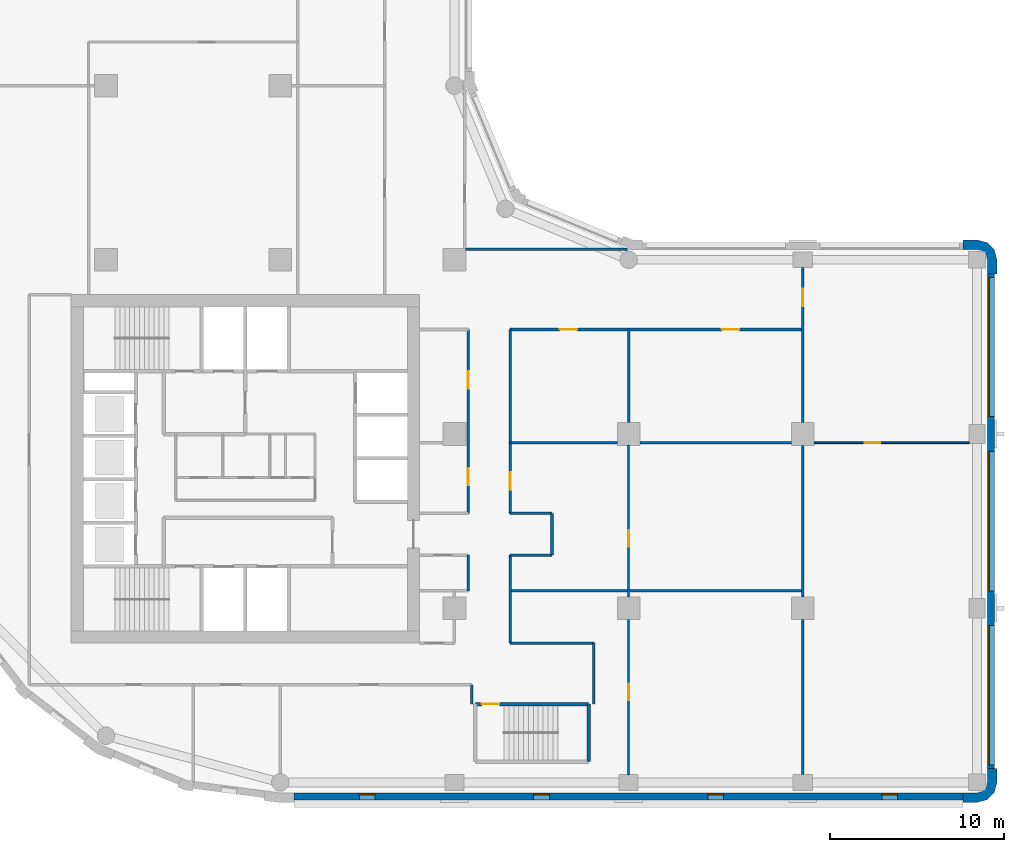
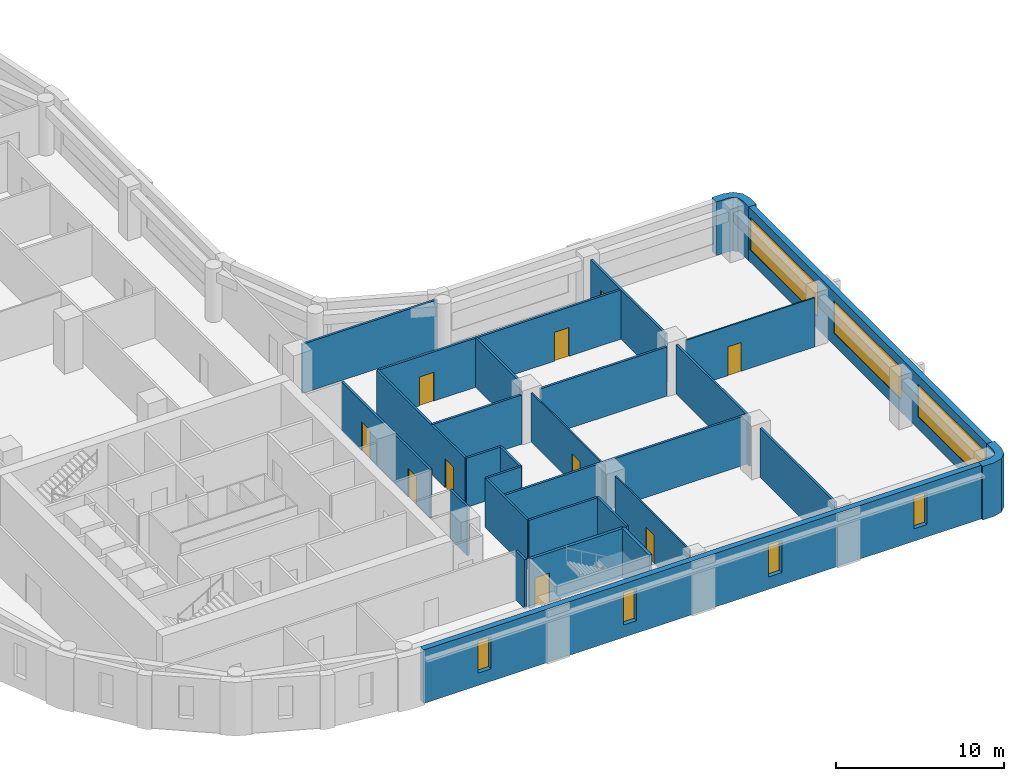
# One storey, part 4 of 9: 28 walls, 10 doors, 7 windows, 17 openings.
"""IFC4 building model written with IfcOpenShell, lengths in metres."""

from ifc_helpers import new_model, si_unit, direction, frame, frame_2d, origin, place, context, subcontext, project, spatial, polyline, rectangle, outline, extrude, material, layer, layer_set, type_object, element, fill, save


model = new_model("IFC4")

# Units and contexts
model_context = context("Model", 3, precision=1e-05, world=origin(), true_north=direction((0.0, 1.0)))
body_context = subcontext(model_context, "Body", "Model", "MODEL_VIEW")
ifc_project = project(units=[si_unit("LENGTHUNIT", "METRE"), si_unit("AREAUNIT", "SQUARE_METRE"), si_unit("VOLUMEUNIT", "CUBIC_METRE"), si_unit("PLANEANGLEUNIT", "RADIAN"), si_unit("MASSUNIT", "GRAM", prefix="KILO")], contexts=[model_context])

# Site, building, storey
site_placement = place(None, origin())
site = spatial("IfcSite", under=ifc_project, at=site_placement, CompositionType="ELEMENT")
building_placement = place(site_placement, origin())
building = spatial("IfcBuilding", under=site, at=building_placement, Name="Qaws Garden Tower", CompositionType="ELEMENT")
storey_placement = place(building_placement, frame((0.0, 0.0, 162.89990234375)))
storey = spatial("IfcBuildingStorey", under=building, at=storey_placement, Name="L39", CompositionType="ELEMENT", Elevation=162.89990234375)

# Walls
ifc_material_1 = material(Name="Clay facing brick masonry", Category="masonry")
ifc_layer_1 = layer(ifc_material_1, 0.550048828125)
ifc_layer_set_1 = layer_set([ifc_layer_1], Name="Clay facing brick masonry")
wall_type_1 = type_object("IfcWallType", Name="Brick corner pier 550 x 2400", PredefinedType="SOLIDWALL", material=ifc_layer_set_1)
placement = place(storey_placement, origin())
element("IfcWall", 1, at=placement, inside=storey, type_object=wall_type_1, Name="E-L39-pier-04", PredefinedType="SOLIDWALL", context=body_context, shape_type="SweptSolid", body=[
    extrude(outline(polyline([(59.199951171875, -1.0), (59.199951171875, -1.14990234375), (60.0, -1.14990234375), (60.574951171875, -0.995849609375), (60.995849609375, -0.574951171875), (61.14990234375, 0.0), (61.14990234375, 0.800048828125), (61.0, 0.800048828125), (60.60009765625, 0.800048828125), (60.60009765625, 0.0), (60.51953125, -0.300048828125), (60.300048828125, -0.51953125), (60.0, -0.60009765625), (59.199951171875, -0.60009765625), (59.199951171875, -1.0)])), origin(), (0.0, 0.0, 1.0), 3.900146484375),
])
element("IfcWall", 2, at=placement, inside=storey, type_object=wall_type_1, Name="E-L39-pier-07", PredefinedType="SOLIDWALL", context=body_context, shape_type="SweptSolid", body=[
    extrude(outline(polyline([(61.0, 29.199951171875), (61.14990234375, 29.199951171875), (61.14990234375, 30.0), (60.995849609375, 30.574951171875), (60.574951171875, 30.995849609375), (60.0, 31.14990234375), (59.199951171875, 31.14990234375), (59.199951171875, 31.0), (59.199951171875, 30.60009765625), (60.0, 30.60009765625), (60.300048828125, 30.51953125), (60.51953125, 30.300048828125), (60.60009765625, 30.0), (60.60009765625, 29.199951171875), (61.0, 29.199951171875)])), origin(), (0.0, 0.0, 1.0), 3.900146484375),
])

# Wall, openings, windows
ifc_material_2 = material(Name="Clay facing brick masonry", Category="masonry")
ifc_layer_2 = layer(ifc_material_2, 0.39990234375)
ifc_layer_set_2 = layer_set([ifc_layer_2], Name="Clay facing brick masonry")
wall_type_2 = type_object("IfcWallType", Name="Brick infill wall 400", PredefinedType="SOLIDWALL", material=ifc_layer_set_2)
wall_3_placement = place(storey_placement, frame((20.800048828125, -0.800048828125, 0.0), z_axis=(0.0, 0.0, 1.0), x_axis=(1.0, 0.0, 0.0)))
wall_3 = element("IfcWall", 3, at=wall_3_placement, inside=storey, type_object=wall_type_2, Name="E-L39-infill-00", PredefinedType="SOLIDWALL", context=body_context, shape_type="SweptSolid", body=[
    extrude(rectangle(XDim=38.39990234375, YDim=0.39990234375, at=frame_2d((19.199951171875, 0.0))), origin(), (0.0, 0.0, 1.0), 3.900146484375),
])
opening_1_placement = place(wall_3_placement, frame((3.75, 0.0, 0.89990234375)))
opening_1 = element("IfcOpeningElement", 4, at=opening_1_placement, cuts=wall_3, Name="Opening W09", PredefinedType="OPENING", context=body_context, shape_type="SweptSolid", body=[
    extrude(rectangle(XDim=0.89990234375, YDim=2.35009765625, at=frame_2d((0.449951171875, 1.175048828125))), frame((0.0, 0.2099609375, 0.0), z_axis=(0.0, -1.0, 0.0), x_axis=(1.0, 0.0, 0.0)), (0.0, 0.0, 1.0), 0.419921875),
])
opening_2_placement = place(wall_3_placement, frame((13.75, 0.0, 0.89990234375)))
opening_2 = element("IfcOpeningElement", 5, at=opening_2_placement, cuts=wall_3, Name="Opening W09", PredefinedType="OPENING", context=body_context, shape_type="SweptSolid", body=[
    extrude(rectangle(XDim=0.89990234375, YDim=2.35009765625, at=frame_2d((0.449951171875, 1.175048828125))), frame((0.0, 0.2099609375, 0.0), z_axis=(0.0, -1.0, 0.0), x_axis=(1.0, 0.0, 0.0)), (0.0, 0.0, 1.0), 0.419921875),
])
opening_3_placement = place(wall_3_placement, frame((23.75, 0.0, 0.89990234375)))
opening_3 = element("IfcOpeningElement", 6, at=opening_3_placement, cuts=wall_3, Name="Opening W09", PredefinedType="OPENING", context=body_context, shape_type="SweptSolid", body=[
    extrude(rectangle(XDim=0.89990234375, YDim=2.35009765625, at=frame_2d((0.449951171875, 1.175048828125))), frame((0.0, 0.2099609375, 0.0), z_axis=(0.0, -1.0, 0.0), x_axis=(1.0, 0.0, 0.0)), (0.0, 0.0, 1.0), 0.419921875),
])
opening_4_placement = place(wall_3_placement, frame((33.75, 0.0, 0.89990234375)))
opening_4 = element("IfcOpeningElement", 7, at=opening_4_placement, cuts=wall_3, Name="Opening W09", PredefinedType="OPENING", context=body_context, shape_type="SweptSolid", body=[
    extrude(rectangle(XDim=0.89990234375, YDim=2.35009765625, at=frame_2d((0.449951171875, 1.175048828125))), frame((0.0, 0.2099609375, 0.0), z_axis=(0.0, -1.0, 0.0), x_axis=(1.0, 0.0, 0.0)), (0.0, 0.0, 1.0), 0.419921875),
])
ifc_material_3 = material(Name="Aluminium framed window, clear glazing", Category="aluminium")
window_type_1 = type_object("IfcWindowType", Name="Slit window 900 x 2350", PartitioningType="SINGLE_PANEL", PredefinedType="WINDOW", material=ifc_material_3)
window_1_placement = place(opening_1_placement, origin())
window_1 = element("IfcWindow", 8, at=window_1_placement, inside=storey, type_object=window_type_1, Name="E-L39-window-00-0", OverallHeight=2.35009765625, OverallWidth=0.89990234375, PartitioningType="SINGLE_PANEL", PredefinedType="WINDOW", context=body_context, shape_type="SweptSolid", body=[
    extrude(rectangle(XDim=0.89990234375, YDim=2.35009765625, at=frame_2d((0.449951171875, 1.175048828125))), frame((0.0, 0.159912109375, 0.0), z_axis=(0.0, -1.0, 0.0), x_axis=(1.0, 0.0, 0.0)), (0.0, 0.0, 1.0), 0.06005859375),
])
fill(opening_1, window_1)
window_2_placement = place(opening_2_placement, origin())
window_2 = element("IfcWindow", 9, at=window_2_placement, inside=storey, type_object=window_type_1, Name="E-L39-window-01-0", OverallHeight=2.35009765625, OverallWidth=0.89990234375, PartitioningType="SINGLE_PANEL", PredefinedType="WINDOW", context=body_context, shape_type="SweptSolid", body=[
    extrude(rectangle(XDim=0.89990234375, YDim=2.35009765625, at=frame_2d((0.449951171875, 1.175048828125))), frame((0.0, 0.159912109375, 0.0), z_axis=(0.0, -1.0, 0.0), x_axis=(1.0, 0.0, 0.0)), (0.0, 0.0, 1.0), 0.06005859375),
])
fill(opening_2, window_2)
window_3_placement = place(opening_3_placement, origin())
window_3 = element("IfcWindow", 10, at=window_3_placement, inside=storey, type_object=window_type_1, Name="E-L39-window-02-0", OverallHeight=2.35009765625, OverallWidth=0.89990234375, PartitioningType="SINGLE_PANEL", PredefinedType="WINDOW", context=body_context, shape_type="SweptSolid", body=[
    extrude(rectangle(XDim=0.89990234375, YDim=2.35009765625, at=frame_2d((0.449951171875, 1.175048828125))), frame((0.0, 0.159912109375, 0.0), z_axis=(0.0, -1.0, 0.0), x_axis=(1.0, 0.0, 0.0)), (0.0, 0.0, 1.0), 0.06005859375),
])
fill(opening_3, window_3)
window_4_placement = place(opening_4_placement, origin())
window_4 = element("IfcWindow", 11, at=window_4_placement, inside=storey, type_object=window_type_1, Name="E-L39-window-03-0", OverallHeight=2.35009765625, OverallWidth=0.89990234375, PartitioningType="SINGLE_PANEL", PredefinedType="WINDOW", context=body_context, shape_type="SweptSolid", body=[
    extrude(rectangle(XDim=0.89990234375, YDim=2.35009765625, at=frame_2d((0.449951171875, 1.175048828125))), frame((0.0, 0.159912109375, 0.0), z_axis=(0.0, -1.0, 0.0), x_axis=(1.0, 0.0, 0.0)), (0.0, 0.0, 1.0), 0.06005859375),
])
fill(opening_4, window_4)

wall_4_placement = place(storey_placement, frame((60.800048828125, 0.800048828125, 0.0), z_axis=(0.0, 0.0, 1.0), x_axis=(0.0, 1.0, 0.0)))
wall_4 = element("IfcWall", 12, at=wall_4_placement, inside=storey, type_object=wall_type_2, Name="E-L39-infill-04", PredefinedType="SOLIDWALL", context=body_context, shape_type="SweptSolid", body=[
    extrude(rectangle(XDim=28.39990234375, YDim=0.39990234375, at=frame_2d((14.199951171875, 0.0))), origin(), (0.0, 0.0, 1.0), 3.900146484375),
])
opening_5_placement = place(wall_4_placement, frame((0.199951171875, 0.0, 0.89990234375)))
opening_5 = element("IfcOpeningElement", 13, at=opening_5_placement, cuts=wall_4, Name="Opening W01", PredefinedType="OPENING", context=body_context, shape_type="SweptSolid", body=[
    extrude(rectangle(XDim=8.0, YDim=2.35009765625, at=frame_2d((4.0, 1.175048828125))), frame((0.0, 0.2099609375, 0.0), z_axis=(0.0, -1.0, 0.0), x_axis=(1.0, 0.0, 0.0)), (0.0, 0.0, 1.0), 0.419921875),
])
opening_6_placement = place(wall_4_placement, frame((10.199951171875, 0.0, 0.89990234375)))
opening_6 = element("IfcOpeningElement", 14, at=opening_6_placement, cuts=wall_4, Name="Opening W01", PredefinedType="OPENING", context=body_context, shape_type="SweptSolid", body=[
    extrude(rectangle(XDim=8.0, YDim=2.35009765625, at=frame_2d((4.0, 1.175048828125))), frame((0.0, 0.2099609375, 0.0), z_axis=(0.0, -1.0, 0.0), x_axis=(1.0, 0.0, 0.0)), (0.0, 0.0, 1.0), 0.419921875),
])
opening_7_placement = place(wall_4_placement, frame((20.199951171875, 0.0, 0.89990234375)))
opening_7 = element("IfcOpeningElement", 15, at=opening_7_placement, cuts=wall_4, Name="Opening W01", PredefinedType="OPENING", context=body_context, shape_type="SweptSolid", body=[
    extrude(rectangle(XDim=8.0, YDim=2.35009765625, at=frame_2d((4.0, 1.175048828125))), frame((0.0, 0.2099609375, 0.0), z_axis=(0.0, -1.0, 0.0), x_axis=(1.0, 0.0, 0.0)), (0.0, 0.0, 1.0), 0.419921875),
])
ifc_material_4 = material(Name="Aluminium framed window, clear glazing", Category="aluminium")
window_type_2 = type_object("IfcWindowType", Name="Ribbon window 8000 x 2350", PartitioningType="DOUBLE_PANEL_VERTICAL", PredefinedType="WINDOW", material=ifc_material_4)
window_5_placement = place(opening_5_placement, origin())
window_5 = element("IfcWindow", 16, at=window_5_placement, inside=storey, type_object=window_type_2, Name="E-L39-window-04-0", OverallHeight=2.35009765625, OverallWidth=8.0, PartitioningType="SINGLE_PANEL", PredefinedType="WINDOW", context=body_context, shape_type="SweptSolid", body=[
    extrude(rectangle(XDim=8.0, YDim=2.35009765625, at=frame_2d((4.0, 1.175048828125))), frame((0.0, 0.159912109375, 0.0), z_axis=(0.0, -1.0, 0.0), x_axis=(1.0, 0.0, 0.0)), (0.0, 0.0, 1.0), 0.06005859375),
])
fill(opening_5, window_5)
window_6_placement = place(opening_6_placement, origin())
window_6 = element("IfcWindow", 17, at=window_6_placement, inside=storey, type_object=window_type_2, Name="E-L39-window-05-0", OverallHeight=2.35009765625, OverallWidth=8.0, PartitioningType="SINGLE_PANEL", PredefinedType="WINDOW", context=body_context, shape_type="SweptSolid", body=[
    extrude(rectangle(XDim=8.0, YDim=2.35009765625, at=frame_2d((4.0, 1.175048828125))), frame((0.0, 0.159912109375, 0.0), z_axis=(0.0, -1.0, 0.0), x_axis=(1.0, 0.0, 0.0)), (0.0, 0.0, 1.0), 0.06005859375),
])
fill(opening_6, window_6)
window_7_placement = place(opening_7_placement, origin())
window_7 = element("IfcWindow", 18, at=window_7_placement, inside=storey, type_object=window_type_2, Name="E-L39-window-06-0", OverallHeight=2.35009765625, OverallWidth=8.0, PartitioningType="SINGLE_PANEL", PredefinedType="WINDOW", context=body_context, shape_type="SweptSolid", body=[
    extrude(rectangle(XDim=8.0, YDim=2.35009765625, at=frame_2d((4.0, 1.175048828125))), frame((0.0, 0.159912109375, 0.0), z_axis=(0.0, -1.0, 0.0), x_axis=(1.0, 0.0, 0.0)), (0.0, 0.0, 1.0), 0.06005859375),
])
fill(opening_7, window_7)

# Wall, opening, door
ifc_material_5 = material(Name="Concrete C70", Category="concrete")
ifc_layer_3 = layer(ifc_material_5, 0.199951171875)
ifc_layer_set_3 = layer_set([ifc_layer_3], Name="Concrete C70")
wall_type_3 = type_object("IfcWallType", Name="Core shaft wall 200 C70", PredefinedType="SHEAR", material=ifc_layer_set_3)
wall_5_placement = place(storey_placement, frame((31.199951171875, 4.5, 0.0), z_axis=(0.0, 0.0, 1.0), x_axis=(1.0, 0.0, 0.0)))
wall_5 = element("IfcWall", 19, at=wall_5_placement, inside=storey, type_object=wall_type_3, Name="Shaft wall", PredefinedType="SHEAR", context=body_context, shape_type="SweptSolid", body=[
    extrude(rectangle(XDim=6.5, YDim=0.199951171875, at=frame_2d((3.25, 0.0))), origin(), (0.0, 0.0, 1.0), 3.580078125),
])
opening_8_placement = place(wall_5_placement, frame((0.375, 0.0, 0.0)))
opening_8 = element("IfcOpeningElement", 20, at=opening_8_placement, cuts=wall_5, Name="Opening SD12", PredefinedType="OPENING", context=body_context, shape_type="SweptSolid", body=[
    extrude(rectangle(XDim=1.0, YDim=2.10009765625, at=frame_2d((0.5, 1.050048828125))), frame((0.0, 0.10986328125, 0.0), z_axis=(0.0, -1.0, 0.0), x_axis=(1.0, 0.0, 0.0)), (0.0, 0.0, 1.0), 0.219970703125),
])
ifc_material_6 = material(Name="Steel S235", Category="steel")
door_type_1 = type_object("IfcDoorType", Name="Stair door 1000x2100", OperationType="SINGLE_SWING_RIGHT", PredefinedType="DOOR", material=ifc_material_6)
door_1_placement = place(opening_8_placement, frame((1.0, 0.0, 0.0), z_axis=(0.0, 0.0, 1.0), x_axis=(-1.0, 0.0, 0.0)))
door_1 = element("IfcDoor", 21, at=door_1_placement, inside=storey, type_object=door_type_1, Name="Stair 5 door", OperationType="SINGLE_SWING_RIGHT", OverallHeight=2.10009765625, OverallWidth=1.0, PredefinedType="DOOR", context=body_context, shape_type="SweptSolid", body=[
    extrude(rectangle(XDim=1.0, YDim=2.10009765625, at=frame_2d((0.5, 1.050048828125))), frame((0.0, 0.02490234375, 0.0), z_axis=(0.0, -1.0, 0.0), x_axis=(1.0, 0.0, 0.0)), (0.0, 0.0, 1.0), 0.050048828125),
])
fill(opening_8, door_1)

# Wall
wall_6_placement = place(storey_placement, frame((37.699951171875, 1.199951171875, 0.0), z_axis=(0.0, 0.0, 1.0), x_axis=(0.0, 1.0, 0.0)))
element("IfcWall", 22, at=wall_6_placement, inside=storey, type_object=wall_type_3, Name="Shaft wall", PredefinedType="SHEAR", context=body_context, shape_type="SweptSolid", body=[
    extrude(rectangle(XDim=3.300048828125, YDim=0.199951171875, at=frame_2d((1.64990234375, 0.0))), origin(), (0.0, 0.0, 1.0), 3.580078125),
])

# Wall, opening, door
ifc_material_7 = material(Name="Gypsum board partition")
ifc_layer_4 = layer(ifc_material_7, 0.10009765625)
ifc_layer_set_4 = layer_set([ifc_layer_4], Name="Gypsum board partition")
wall_type_4 = type_object("IfcWallType", Name="PARTITION 100", PredefinedType="PARTITIONING", material=ifc_layer_set_4)
wall_7_placement = place(storey_placement, frame((40.0, 0.449951171875, 0.0), z_axis=(0.0, 0.0, 1.0), x_axis=(0.0, 1.0, 0.0)))
wall_7 = element("IfcWall", 23, at=wall_7_placement, inside=storey, type_object=wall_type_4, Name="O-L39-wall-002", PredefinedType="PARTITIONING", context=body_context, shape_type="SweptSolid", body=[
    extrude(rectangle(XDim=8.900146484375, YDim=0.10009765625, at=frame_2d((4.4501953125, 0.0))), origin(), (0.0, 0.0, 1.0), 3.580078125),
])
opening_9_placement = place(wall_7_placement, frame((4.27490234375, 0.0, 0.0)))
opening_9 = element("IfcOpeningElement", 24, at=opening_9_placement, cuts=wall_7, Name="Opening B322", PredefinedType="OPENING", context=body_context, shape_type="SweptSolid", body=[
    extrude(rectangle(XDim=0.949951171875, YDim=2.10009765625, at=frame_2d((0.47509765625, 1.050048828125))), frame((0.0, 0.06005859375, 0.0), z_axis=(0.0, -1.0, 0.0), x_axis=(1.0, 0.0, 0.0)), (0.0, 0.0, 1.0), 0.1201171875),
])
ifc_material_8 = material(Name="Timber and glass door leaf", Category="wood")
door_type_2 = type_object("IfcDoorType", Name="GLAZED DOOR 950 X 2100", OperationType="SINGLE_SWING_LEFT", PredefinedType="DOOR", material=ifc_material_8)
door_2_placement = place(opening_9_placement, frame((0.949951171875, 0.0, 0.0), z_axis=(0.0, 0.0, 1.0), x_axis=(-1.0, 0.0, 0.0)))
door_2 = element("IfcDoor", 25, at=door_2_placement, inside=storey, type_object=door_type_2, Name="O-L39-door-022", OperationType="SINGLE_SWING_LEFT", OverallHeight=2.10009765625, OverallWidth=0.949951171875, PredefinedType="DOOR", context=body_context, shape_type="SweptSolid", body=[
    extrude(rectangle(XDim=0.949951171875, YDim=2.10009765625, at=frame_2d((0.47509765625, 1.050048828125))), frame((0.0, 0.02490234375, 0.0), z_axis=(0.0, -1.0, 0.0), x_axis=(1.0, 0.0, 0.0)), (0.0, 0.0, 1.0), 0.050048828125),
])
fill(opening_9, door_2)

wall_8_placement = place(storey_placement, frame((40.0, 10.64990234375, 0.0), z_axis=(0.0, 0.0, 1.0), x_axis=(0.0, 1.0, 0.0)))
wall_8 = element("IfcWall", 26, at=wall_8_placement, inside=storey, type_object=wall_type_4, Name="O-L39-wall-003", PredefinedType="PARTITIONING", context=body_context, shape_type="SweptSolid", body=[
    extrude(rectangle(XDim=8.7001953125, YDim=0.10009765625, at=frame_2d((4.35009765625, 0.0))), origin(), (0.0, 0.0, 1.0), 3.580078125),
])
opening_10_placement = place(wall_8_placement, frame((2.875, 0.0, 0.0)))
opening_10 = element("IfcOpeningElement", 27, at=opening_10_placement, cuts=wall_8, Name="Opening B325", PredefinedType="OPENING", context=body_context, shape_type="SweptSolid", body=[
    extrude(rectangle(XDim=0.949951171875, YDim=2.10009765625, at=frame_2d((0.47509765625, 1.050048828125))), frame((0.0, 0.06005859375, 0.0), z_axis=(0.0, -1.0, 0.0), x_axis=(1.0, 0.0, 0.0)), (0.0, 0.0, 1.0), 0.1201171875),
])
door_3_placement = place(opening_10_placement, origin())
door_3 = element("IfcDoor", 28, at=door_3_placement, inside=storey, type_object=door_type_2, Name="O-L39-door-025", OperationType="SINGLE_SWING_RIGHT", OverallHeight=2.10009765625, OverallWidth=0.949951171875, PredefinedType="DOOR", context=body_context, shape_type="SweptSolid", body=[
    extrude(rectangle(XDim=0.949951171875, YDim=2.10009765625, at=frame_2d((0.47509765625, 1.050048828125))), frame((0.0, 0.02490234375, 0.0), z_axis=(0.0, -1.0, 0.0), x_axis=(1.0, 0.0, 0.0)), (0.0, 0.0, 1.0), 0.050048828125),
])
fill(opening_10, door_3)

wall_9_placement = place(storey_placement, frame((50.64990234375, 19.5, 0.0), z_axis=(0.0, 0.0, 1.0), x_axis=(1.0, 0.0, 0.0)))
wall_9 = element("IfcWall", 29, at=wall_9_placement, inside=storey, type_object=wall_type_4, Name="O-L39-wall-004", PredefinedType="PARTITIONING", context=body_context, shape_type="SweptSolid", body=[
    extrude(rectangle(XDim=8.900146484375, YDim=0.10009765625, at=frame_2d((4.4501953125, 0.0))), origin(), (0.0, 0.0, 1.0), 3.580078125),
])
opening_11_placement = place(wall_9_placement, frame((2.89990234375, 0.0, 0.0)))
opening_11 = element("IfcOpeningElement", 30, at=opening_11_placement, cuts=wall_9, Name="Opening B323", PredefinedType="OPENING", context=body_context, shape_type="SweptSolid", body=[
    extrude(rectangle(XDim=0.89990234375, YDim=2.10009765625, at=frame_2d((0.449951171875, 1.050048828125))), frame((0.0, 0.06005859375, 0.0), z_axis=(0.0, -1.0, 0.0), x_axis=(1.0, 0.0, 0.0)), (0.0, 0.0, 1.0), 0.1201171875),
])
ifc_material_9 = material(Name="Timber door leaf", Category="wood")
door_type_3 = type_object("IfcDoorType", Name="OFFICE DOOR 900 X 2100", OperationType="SINGLE_SWING_LEFT", PredefinedType="DOOR", material=ifc_material_9)
door_4_placement = place(opening_11_placement, origin())
door_4 = element("IfcDoor", 31, at=door_4_placement, inside=storey, type_object=door_type_3, Name="O-L39-door-023", OperationType="SINGLE_SWING_LEFT", OverallHeight=2.10009765625, OverallWidth=0.89990234375, PredefinedType="DOOR", context=body_context, shape_type="SweptSolid", body=[
    extrude(rectangle(XDim=0.89990234375, YDim=2.10009765625, at=frame_2d((0.449951171875, 1.050048828125))), frame((0.0, 0.02490234375, 0.0), z_axis=(0.0, -1.0, 0.0), x_axis=(1.0, 0.0, 0.0)), (0.0, 0.0, 1.0), 0.050048828125),
])
fill(opening_11, door_4)

# Wall
ifc_material_10 = material(Name="Gypsum board partition")
ifc_layer_5 = layer(ifc_material_10, 0.14990234375)
ifc_layer_set_5 = layer_set([ifc_layer_5], Name="Gypsum board partition")
wall_type_5 = type_object("IfcWallType", Name="PARTITION 150 EI 60", PredefinedType="PARTITIONING", material=ifc_layer_set_5)
wall_10_placement = place(storey_placement, frame((30.800048828125, 11.0, 0.0), z_axis=(0.0, 0.0, 1.0), x_axis=(0.0, 1.0, 0.0)))
element("IfcWall", 32, at=wall_10_placement, inside=storey, type_object=wall_type_5, Name="O-L39-wall-019", PredefinedType="PARTITIONING", context=body_context, shape_type="SweptSolid", body=[
    extrude(rectangle(XDim=2.050048828125, YDim=0.14990234375, at=frame_2d((1.02490234375, 0.0))), origin(), (0.0, 0.0, 1.0), 3.580078125),
])

# Wall, openings, doors
wall_11_placement = place(storey_placement, frame((30.800048828125, 15.449951171875, 0.0), z_axis=(0.0, 0.0, 1.0), x_axis=(0.0, 1.0, 0.0)))
wall_11 = element("IfcWall", 33, at=wall_11_placement, inside=storey, type_object=wall_type_5, Name="O-L39-wall-020", PredefinedType="PARTITIONING", context=body_context, shape_type="SweptSolid", body=[
    extrude(rectangle(XDim=10.550048828125, YDim=0.14990234375, at=frame_2d((5.27490234375, 0.0))), origin(), (0.0, 0.0, 1.0), 3.580078125),
])
opening_12_placement = place(wall_11_placement, frame((7.14990234375, 0.0, 0.0)))
opening_12 = element("IfcOpeningElement", 34, at=opening_12_placement, cuts=wall_11, Name="Opening B310", PredefinedType="OPENING", context=body_context, shape_type="SweptSolid", body=[
    extrude(rectangle(XDim=1.0, YDim=2.10009765625, at=frame_2d((0.5, 1.050048828125))), frame((0.0, 0.0849609375, 0.0), z_axis=(0.0, -1.0, 0.0), x_axis=(1.0, 0.0, 0.0)), (0.0, 0.0, 1.0), 0.169921875),
])
opening_13_placement = place(wall_11_placement, frame((1.60009765625, 0.0, 0.0)))
opening_13 = element("IfcOpeningElement", 35, at=opening_13_placement, cuts=wall_11, Name="Opening B321", PredefinedType="OPENING", context=body_context, shape_type="SweptSolid", body=[
    extrude(rectangle(XDim=1.0, YDim=2.10009765625, at=frame_2d((0.5, 1.050048828125))), frame((0.0, 0.0849609375, 0.0), z_axis=(0.0, -1.0, 0.0), x_axis=(1.0, 0.0, 0.0)), (0.0, 0.0, 1.0), 0.169921875),
])
ifc_material_11 = material(Name="Timber door leaf", Category="wood")
door_type_4 = type_object("IfcDoorType", Name="TENANCY ENTRANCE DOOR 1000 X 2100", OperationType="SINGLE_SWING_LEFT", PredefinedType="DOOR", material=ifc_material_11)
door_5_placement = place(opening_12_placement, origin())
door_5 = element("IfcDoor", 36, at=door_5_placement, inside=storey, type_object=door_type_4, Name="O-L39-door-010", OperationType="SINGLE_SWING_RIGHT", OverallHeight=2.10009765625, OverallWidth=1.0, PredefinedType="DOOR", context=body_context, shape_type="SweptSolid", body=[
    extrude(rectangle(XDim=1.0, YDim=2.10009765625, at=frame_2d((0.5, 1.050048828125))), frame((0.0, 0.02490234375, 0.0), z_axis=(0.0, -1.0, 0.0), x_axis=(1.0, 0.0, 0.0)), (0.0, 0.0, 1.0), 0.050048828125),
])
fill(opening_12, door_5)
door_6_placement = place(opening_13_placement, origin())
door_6 = element("IfcDoor", 37, at=door_6_placement, inside=storey, type_object=door_type_4, Name="O-L39-door-021", OperationType="SINGLE_SWING_RIGHT", OverallHeight=2.10009765625, OverallWidth=1.0, PredefinedType="DOOR", context=body_context, shape_type="SweptSolid", body=[
    extrude(rectangle(XDim=1.0, YDim=2.10009765625, at=frame_2d((0.5, 1.050048828125))), frame((0.0, 0.02490234375, 0.0), z_axis=(0.0, -1.0, 0.0), x_axis=(1.0, 0.0, 0.0)), (0.0, 0.0, 1.0), 0.050048828125),
])
fill(opening_13, door_6)

# Walls
wall_12_placement = place(storey_placement, frame((31.0, 4.5, 0.0), z_axis=(0.0, 0.0, 1.0), x_axis=(0.0, 1.0, 0.0)))
element("IfcWall", 38, at=wall_12_placement, inside=storey, type_object=wall_type_5, Name="O-L39-wall-021", PredefinedType="PARTITIONING", context=body_context, shape_type="SweptSolid", body=[
    extrude(rectangle(XDim=1.10009765625, YDim=0.14990234375, at=frame_2d((0.550048828125, 0.0))), origin(), (0.0, 0.0, 1.0), 3.580078125),
])
wall_13_placement = place(storey_placement, frame((33.199951171875, 8.0, 0.0), z_axis=(0.0, 0.0, 1.0), x_axis=(0.0, 1.0, 0.0)))
element("IfcWall", 39, at=wall_13_placement, inside=storey, type_object=wall_type_5, Name="O-L39-wall-022", PredefinedType="PARTITIONING", context=body_context, shape_type="SweptSolid", body=[
    extrude(rectangle(XDim=5.050048828125, YDim=0.14990234375, at=frame_2d((2.52490234375, 0.0))), origin(), (0.0, 0.0, 1.0), 3.580078125),
])

# Wall, opening, door
wall_14_placement = place(storey_placement, frame((33.199951171875, 15.449951171875, 0.0), z_axis=(0.0, 0.0, 1.0), x_axis=(0.0, 1.0, 0.0)))
wall_14 = element("IfcWall", 40, at=wall_14_placement, inside=storey, type_object=wall_type_5, Name="O-L39-wall-023", PredefinedType="PARTITIONING", context=body_context, shape_type="SweptSolid", body=[
    extrude(rectangle(XDim=10.550048828125, YDim=0.14990234375, at=frame_2d((5.27490234375, 0.0))), origin(), (0.0, 0.0, 1.0), 3.580078125),
])
opening_14_placement = place(wall_14_placement, frame((1.35009765625, 0.0, 0.0)))
opening_14 = element("IfcOpeningElement", 41, at=opening_14_placement, cuts=wall_14, Name="Opening B320", PredefinedType="OPENING", context=body_context, shape_type="SweptSolid", body=[
    extrude(rectangle(XDim=1.0, YDim=2.10009765625, at=frame_2d((0.5, 1.050048828125))), frame((0.0, 0.0849609375, 0.0), z_axis=(0.0, -1.0, 0.0), x_axis=(1.0, 0.0, 0.0)), (0.0, 0.0, 1.0), 0.169921875),
])
door_7_placement = place(opening_14_placement, frame((1.0, 0.0, 0.0), z_axis=(0.0, 0.0, 1.0), x_axis=(-1.0, 0.0, 0.0)))
door_7 = element("IfcDoor", 42, at=door_7_placement, inside=storey, type_object=door_type_4, Name="O-L39-door-020", OperationType="SINGLE_SWING_RIGHT", OverallHeight=2.10009765625, OverallWidth=1.0, PredefinedType="DOOR", context=body_context, shape_type="SweptSolid", body=[
    extrude(rectangle(XDim=1.0, YDim=2.10009765625, at=frame_2d((0.5, 1.050048828125))), frame((0.0, 0.02490234375, 0.0), z_axis=(0.0, -1.0, 0.0), x_axis=(1.0, 0.0, 0.0)), (0.0, 0.0, 1.0), 0.050048828125),
])
fill(opening_14, door_7)

# Walls
wall_15_placement = place(storey_placement, frame((35.60009765625, 13.050048828125, 0.0), z_axis=(0.0, 0.0, 1.0), x_axis=(0.0, 1.0, 0.0)))
element("IfcWall", 43, at=wall_15_placement, inside=storey, type_object=wall_type_5, Name="O-L39-wall-024", PredefinedType="PARTITIONING", context=body_context, shape_type="SweptSolid", body=[
    extrude(rectangle(XDim=2.39990234375, YDim=0.14990234375, at=frame_2d((1.199951171875, 0.0))), origin(), (0.0, 0.0, 1.0), 3.580078125),
])
wall_16_placement = place(storey_placement, frame((38.0, 4.5, 0.0), z_axis=(0.0, 0.0, 1.0), x_axis=(0.0, 1.0, 0.0)))
element("IfcWall", 44, at=wall_16_placement, inside=storey, type_object=wall_type_5, Name="O-L39-wall-025", PredefinedType="PARTITIONING", context=body_context, shape_type="SweptSolid", body=[
    extrude(rectangle(XDim=3.5, YDim=0.14990234375, at=frame_2d((1.75, 0.0))), origin(), (0.0, 0.0, 1.0), 3.580078125),
])
wall_17_placement = place(storey_placement, frame((40.0, 20.64990234375, 0.0), z_axis=(0.0, 0.0, 1.0), x_axis=(0.0, 1.0, 0.0)))
element("IfcWall", 45, at=wall_17_placement, inside=storey, type_object=wall_type_5, Name="O-L39-wall-026", PredefinedType="PARTITIONING", context=body_context, shape_type="SweptSolid", body=[
    extrude(rectangle(XDim=5.35009765625, YDim=0.14990234375, at=frame_2d((2.675048828125, 0.0))), origin(), (0.0, 0.0, 1.0), 3.580078125),
])
wall_18_placement = place(storey_placement, frame((50.0, 0.449951171875, 0.0), z_axis=(0.0, 0.0, 1.0), x_axis=(0.0, 1.0, 0.0)))
element("IfcWall", 46, at=wall_18_placement, inside=storey, type_object=wall_type_5, Name="O-L39-wall-027", PredefinedType="PARTITIONING", context=body_context, shape_type="SweptSolid", body=[
    extrude(rectangle(XDim=8.900146484375, YDim=0.14990234375, at=frame_2d((4.4501953125, 0.0))), origin(), (0.0, 0.0, 1.0), 3.580078125),
])
wall_19_placement = place(storey_placement, frame((50.0, 10.64990234375, 0.0), z_axis=(0.0, 0.0, 1.0), x_axis=(0.0, 1.0, 0.0)))
element("IfcWall", 47, at=wall_19_placement, inside=storey, type_object=wall_type_5, Name="O-L39-wall-028", PredefinedType="PARTITIONING", context=body_context, shape_type="SweptSolid", body=[
    extrude(rectangle(XDim=8.7001953125, YDim=0.14990234375, at=frame_2d((4.35009765625, 0.0))), origin(), (0.0, 0.0, 1.0), 3.580078125),
])

# Wall, opening, door
wall_20_placement = place(storey_placement, frame((50.0, 20.64990234375, 0.0), z_axis=(0.0, 0.0, 1.0), x_axis=(0.0, 1.0, 0.0)))
wall_20 = element("IfcWall", 48, at=wall_20_placement, inside=storey, type_object=wall_type_5, Name="O-L39-wall-029", PredefinedType="PARTITIONING", context=body_context, shape_type="SweptSolid", body=[
    extrude(rectangle(XDim=8.900146484375, YDim=0.14990234375, at=frame_2d((4.4501953125, 0.0))), origin(), (0.0, 0.0, 1.0), 3.580078125),
])
opening_15_placement = place(wall_20_placement, frame((6.699951171875, 0.0, 0.0)))
opening_15 = element("IfcOpeningElement", 49, at=opening_15_placement, cuts=wall_20, Name="Opening B318", PredefinedType="OPENING", context=body_context, shape_type="SweptSolid", body=[
    extrude(rectangle(XDim=1.0, YDim=2.10009765625, at=frame_2d((0.5, 1.050048828125))), frame((0.0, 0.0849609375, 0.0), z_axis=(0.0, -1.0, 0.0), x_axis=(1.0, 0.0, 0.0)), (0.0, 0.0, 1.0), 0.169921875),
])
door_8_placement = place(opening_15_placement, frame((1.0, 0.0, 0.0), z_axis=(0.0, 0.0, 1.0), x_axis=(-1.0, 0.0, 0.0)))
door_8 = element("IfcDoor", 50, at=door_8_placement, inside=storey, type_object=door_type_4, Name="O-L39-door-018", OperationType="SINGLE_SWING_LEFT", OverallHeight=2.10009765625, OverallWidth=1.0, PredefinedType="DOOR", context=body_context, shape_type="SweptSolid", body=[
    extrude(rectangle(XDim=1.0, YDim=2.10009765625, at=frame_2d((0.5, 1.050048828125))), frame((0.0, 0.02490234375, 0.0), z_axis=(0.0, -1.0, 0.0), x_axis=(1.0, 0.0, 0.0)), (0.0, 0.0, 1.0), 0.050048828125),
])
fill(opening_15, door_8)

# Walls
wall_21_placement = place(storey_placement, frame((33.199951171875, 8.0, 0.0), z_axis=(0.0, 0.0, 1.0), x_axis=(1.0, 0.0, 0.0)))
element("IfcWall", 51, at=wall_21_placement, inside=storey, type_object=wall_type_5, Name="O-L39-wall-032", PredefinedType="PARTITIONING", context=body_context, shape_type="SweptSolid", body=[
    extrude(rectangle(XDim=4.800048828125, YDim=0.14990234375, at=frame_2d((2.39990234375, 0.0))), origin(), (0.0, 0.0, 1.0), 3.580078125),
])
wall_22_placement = place(storey_placement, frame((33.199951171875, 11.0, 0.0), z_axis=(0.0, 0.0, 1.0), x_axis=(1.0, 0.0, 0.0)))
element("IfcWall", 52, at=wall_22_placement, inside=storey, type_object=wall_type_5, Name="O-L39-wall-034", PredefinedType="PARTITIONING", context=body_context, shape_type="SweptSolid", body=[
    extrude(rectangle(XDim=16.800048828125, YDim=0.14990234375, at=frame_2d((8.39990234375, 0.0))), origin(), (0.0, 0.0, 1.0), 3.580078125),
])
for number, where, z_axis, x_axis, name in (
    (53, (33.199951171875, 13.050048828125, 0.0), (0.0, 0.0, 1.0), (1.0, 0.0, 0.0), "O-L39-wall-036"),
    (54, (33.199951171875, 15.449951171875, 0.0), (0.0, 0.0, 1.0), (1.0, 0.0, 0.0), "O-L39-wall-038"),
):
    element("IfcWall", number, at=place(storey_placement, frame(where, z_axis=z_axis, x_axis=x_axis)), inside=storey, type_object=wall_type_5, Name=name, PredefinedType="PARTITIONING", context=body_context, shape_type="SweptSolid", body=[
        extrude(rectangle(XDim=2.400146484375, YDim=0.14990234375, at=frame_2d((1.2001953125, 0.0))), origin(), (0.0, 0.0, 1.0), 3.580078125),
    ])
wall_23_placement = place(storey_placement, frame((33.199951171875, 19.5, 0.0), z_axis=(0.0, 0.0, 1.0), x_axis=(1.0, 0.0, 0.0)))
element("IfcWall", 55, at=wall_23_placement, inside=storey, type_object=wall_type_5, Name="O-L39-wall-040", PredefinedType="PARTITIONING", context=body_context, shape_type="SweptSolid", body=[
    extrude(rectangle(XDim=6.150146484375, YDim=0.14990234375, at=frame_2d((3.0751953125, 0.0))), origin(), (0.0, 0.0, 1.0), 3.580078125),
])
wall_24_placement = place(storey_placement, frame((40.64990234375, 19.5, 0.0), z_axis=(0.0, 0.0, 1.0), x_axis=(1.0, 0.0, 0.0)))
element("IfcWall", 56, at=wall_24_placement, inside=storey, type_object=wall_type_5, Name="O-L39-wall-041", PredefinedType="PARTITIONING", context=body_context, shape_type="SweptSolid", body=[
    extrude(rectangle(XDim=8.7001953125, YDim=0.14990234375, at=frame_2d((4.35009765625, 0.0))), origin(), (0.0, 0.0, 1.0), 3.580078125),
])

# Wall, openings, doors
wall_25_placement = place(storey_placement, frame((33.199951171875, 26.0, 0.0), z_axis=(0.0, 0.0, 1.0), x_axis=(1.0, 0.0, 0.0)))
wall_25 = element("IfcWall", 57, at=wall_25_placement, inside=storey, type_object=wall_type_5, Name="O-L39-wall-043", PredefinedType="PARTITIONING", context=body_context, shape_type="SweptSolid", body=[
    extrude(rectangle(XDim=16.800048828125, YDim=0.14990234375, at=frame_2d((8.39990234375, 0.0))), origin(), (0.0, 0.0, 1.0), 3.580078125),
])
opening_16_placement = place(wall_25_placement, frame((2.85009765625, 0.0, 0.0)))
opening_16 = element("IfcOpeningElement", 58, at=opening_16_placement, cuts=wall_25, Name="Opening B316", PredefinedType="OPENING", context=body_context, shape_type="SweptSolid", body=[
    extrude(rectangle(XDim=1.0, YDim=2.10009765625, at=frame_2d((0.5, 1.050048828125))), frame((0.0, 0.0849609375, 0.0), z_axis=(0.0, -1.0, 0.0), x_axis=(1.0, 0.0, 0.0)), (0.0, 0.0, 1.0), 0.169921875),
])
opening_17_placement = place(wall_25_placement, frame((12.14990234375, 0.0, 0.0)))
opening_17 = element("IfcOpeningElement", 59, at=opening_17_placement, cuts=wall_25, Name="Opening B317", PredefinedType="OPENING", context=body_context, shape_type="SweptSolid", body=[
    extrude(rectangle(XDim=1.0, YDim=2.10009765625, at=frame_2d((0.5, 1.050048828125))), frame((0.0, 0.0849609375, 0.0), z_axis=(0.0, -1.0, 0.0), x_axis=(1.0, 0.0, 0.0)), (0.0, 0.0, 1.0), 0.169921875),
])
door_9_placement = place(opening_16_placement, frame((1.0, 0.0, 0.0), z_axis=(0.0, 0.0, 1.0), x_axis=(-1.0, 0.0, 0.0)))
door_9 = element("IfcDoor", 60, at=door_9_placement, inside=storey, type_object=door_type_4, Name="O-L39-door-016", OperationType="SINGLE_SWING_RIGHT", OverallHeight=2.10009765625, OverallWidth=1.0, PredefinedType="DOOR", context=body_context, shape_type="SweptSolid", body=[
    extrude(rectangle(XDim=1.0, YDim=2.10009765625, at=frame_2d((0.5, 1.050048828125))), frame((0.0, 0.02490234375, 0.0), z_axis=(0.0, -1.0, 0.0), x_axis=(1.0, 0.0, 0.0)), (0.0, 0.0, 1.0), 0.050048828125),
])
fill(opening_16, door_9)
door_10_placement = place(opening_17_placement, frame((1.0, 0.0, 0.0), z_axis=(0.0, 0.0, 1.0), x_axis=(-1.0, 0.0, 0.0)))
door_10 = element("IfcDoor", 61, at=door_10_placement, inside=storey, type_object=door_type_4, Name="O-L39-door-017", OperationType="SINGLE_SWING_RIGHT", OverallHeight=2.10009765625, OverallWidth=1.0, PredefinedType="DOOR", context=body_context, shape_type="SweptSolid", body=[
    extrude(rectangle(XDim=1.0, YDim=2.10009765625, at=frame_2d((0.5, 1.050048828125))), frame((0.0, 0.02490234375, 0.0), z_axis=(0.0, -1.0, 0.0), x_axis=(1.0, 0.0, 0.0)), (0.0, 0.0, 1.0), 0.050048828125),
])
fill(opening_17, door_10)

# Wall
wall_26_placement = place(storey_placement, frame((30.64990234375, 30.60009765625, 0.0), z_axis=(0.0, 0.0, 1.0), x_axis=(1.0, 0.0, 0.0)))
element("IfcWall", 62, at=wall_26_placement, inside=storey, type_object=wall_type_5, Name="O-L39-wall-045", PredefinedType="PARTITIONING", context=body_context, shape_type="SweptSolid", body=[
    extrude(rectangle(XDim=9.288330078125, YDim=0.14990234375, at=frame_2d((4.64404296875, 0.0))), origin(), (0.0, 0.0, 1.0), 3.580078125),
])

save(model, "model.ifc")
